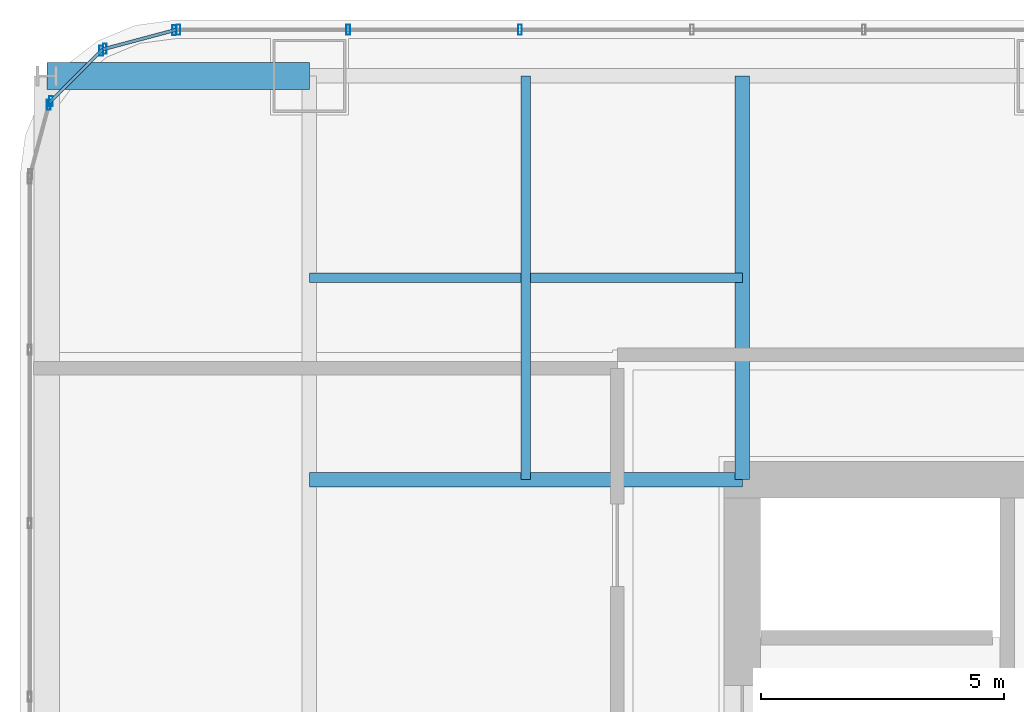
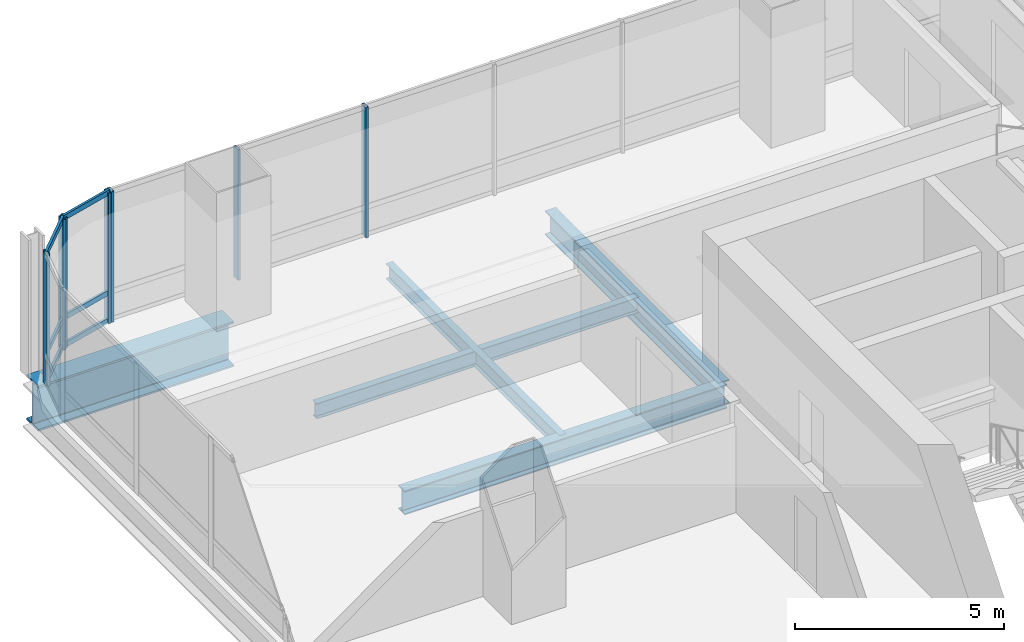
# One storey, part 19 of 36: 14 members, 5 beams, 4 elements without a shape of their own.
"""IFC4 building model written with IfcOpenShell, lengths in metres."""

from ifc_helpers import new_model, si_unit, direction, frame, origin, origin_2d, place, context, subcontext, project, spatial, hollow_rectangle, i_section, extrude, material, material_profile, profile_set, type_object, element, aggregate, save


model = new_model("IFC4")

# Units and contexts
model_context = context("Model", 3, precision=1e-05, world=origin(), true_north=direction((0.0, 1.0)))
body_context = subcontext(model_context, "Body", "Model", "MODEL_VIEW")
ifc_project = project(units=[si_unit("LENGTHUNIT", "METRE"), si_unit("AREAUNIT", "SQUARE_METRE"), si_unit("VOLUMEUNIT", "CUBIC_METRE"), si_unit("PLANEANGLEUNIT", "RADIAN"), si_unit("MASSUNIT", "GRAM", prefix="KILO")], contexts=[model_context])

# Site, building, storey
site_placement = place(None, origin())
site = spatial("IfcSite", under=ifc_project, at=site_placement, CompositionType="ELEMENT")
building_placement = place(site_placement, origin())
building = spatial("IfcBuilding", under=site, at=building_placement, Name="Punatoya Terracotta Tower", CompositionType="ELEMENT")
storey_placement = place(building_placement, frame((0.0, 0.0, 48.449951171875)))
storey = spatial("IfcBuildingStorey", under=building, at=storey_placement, Name="L10", CompositionType="ELEMENT", Elevation=48.449951171875)

# Beams
ifc_material_1 = material(Name="Steel S355", Category="steel")
ifc_material_profile_1 = material_profile(ifc_material_1, i_section(OverallWidth=0.300048828125, OverallDepth=0.699951171875, WebThickness=0.01708984375, FlangeThickness=0.031982421875, FilletRadius=0.01806640625, at=origin_2d()))
ifc_profile_set_1 = profile_set([ifc_material_profile_1], Name="Steel S355")
beam_type_1 = type_object("IfcBeamType", Name="BM-PRI-700", PredefinedType="BEAM", material=ifc_profile_set_1)
beam_1_placement = place(storey_placement, frame((-19.10009765625, 9.199951171875, -0.58984375), z_axis=(1.0, 0.0, 0.0), x_axis=(0.0, 1.0, 0.0)))
element("IfcBeam", 1, at=beam_1_placement, inside=storey, type_object=beam_type_1, Name="BM-L10-PR-WN", PredefinedType="BEAM", context=body_context, shape_type="SweptSolid", body=[
    extrude(i_section(OverallWidth=0.300048828125, OverallDepth=0.699951171875, WebThickness=0.01708984375, FlangeThickness=0.031982421875, FilletRadius=0.01806640625, at=origin_2d()), origin(), (0.0, 0.0, 1.0), 8.900146484375),
])
beam_2_placement = place(storey_placement, frame((-10.199951171875, 9.199951171875, -0.58984375), z_axis=(0.0, 1.0, 0.0), x_axis=(-1.0, 0.0, 0.0)))
element("IfcBeam", 2, at=beam_2_placement, inside=storey, type_object=beam_type_1, Name="BM-L10-PR-N1", PredefinedType="BEAM", context=body_context, shape_type="SweptSolid", body=[
    extrude(i_section(OverallWidth=0.300048828125, OverallDepth=0.699951171875, WebThickness=0.01708984375, FlangeThickness=0.031982421875, FilletRadius=0.01806640625, at=origin_2d()), origin(), (0.0, 0.0, 1.0), 8.300048828125),
])
ifc_material_profile_2 = material_profile(ifc_material_1, i_section(OverallWidth=0.18994140625, OverallDepth=0.449951171875, WebThickness=0.009521484375, FlangeThickness=0.0146484375, FilletRadius=0.01806640625, at=origin_2d()))
ifc_profile_set_2 = profile_set([ifc_material_profile_2], Name="Steel S355")
beam_type_2 = type_object("IfcBeamType", Name="BM-SEC-450", PredefinedType="JOIST", material=ifc_profile_set_2)
beam_3_placement = place(storey_placement, frame((-19.10009765625, 13.35009765625, -0.46484375), z_axis=(1.0, 0.0, 0.0), x_axis=(0.0, 1.0, 0.0)))
element("IfcBeam", 3, at=beam_3_placement, inside=storey, type_object=beam_type_2, Name="BM-L10-SJN-1", PredefinedType="JOIST", context=body_context, shape_type="SweptSolid", body=[
    extrude(i_section(OverallWidth=0.18994140625, OverallDepth=0.449951171875, WebThickness=0.009521484375, FlangeThickness=0.0146484375, FilletRadius=0.01806640625, at=origin_2d()), origin(), (0.0, 0.0, 1.0), 8.900146484375),
])
beam_4_placement = place(storey_placement, frame((-14.64990234375, 9.199951171875, -0.46484375), z_axis=(0.0, 1.0, 0.0), x_axis=(-1.0, 0.0, 0.0)))
element("IfcBeam", 4, at=beam_4_placement, inside=storey, type_object=beam_type_2, Name="BM-L10-SJW-2", PredefinedType="JOIST", context=body_context, shape_type="SweptSolid", body=[
    extrude(i_section(OverallWidth=0.18994140625, OverallDepth=0.449951171875, WebThickness=0.009521484375, FlangeThickness=0.0146484375, FilletRadius=0.01806640625, at=origin_2d()), origin(), (0.0, 0.0, 1.0), 8.300048828125),
])
ifc_material_2 = material(Name="Steel S460", Category="steel")
ifc_material_profile_3 = material_profile(ifc_material_2, i_section(OverallWidth=0.56005859375, OverallDepth=1.320068359375, WebThickness=0.035888671875, FlangeThickness=0.054931640625, FilletRadius=0.01806640625, at=origin_2d()))
ifc_profile_set_3 = profile_set([ifc_material_profile_3], Name="Steel S460")
beam_type_3 = type_object("IfcBeamType", Name="BM-TG-BLK", PredefinedType="BEAM", material=ifc_profile_set_3)
beam_5_placement = place(storey_placement, frame((-24.5, 17.5, -0.89990234375), z_axis=(1.0, 0.0, 0.0), x_axis=(0.0, 1.0, 0.0)))
element("IfcBeam", 5, at=beam_5_placement, inside=storey, type_object=beam_type_3, Name="BM-L10-CANT-W4", PredefinedType="BEAM", context=body_context, shape_type="SweptSolid", body=[
    extrude(i_section(OverallWidth=0.56005859375, OverallDepth=1.320068359375, WebThickness=0.035888671875, FlangeThickness=0.054931640625, FilletRadius=0.01806640625, at=origin_2d()), origin(), (0.0, 0.0, 1.0), 5.39990234375),
])

# Curtain wall, members
ifc_material_3 = material(Name="Aluminium 6063-T6 + Double Low-E Glass", Category="aluminium")
curtain_wall_type = type_object("IfcCurtainWallType", Name="CW-M1", PredefinedType="NOTDEFINED", material=ifc_material_3)
curtain_wall_1_placement = place(storey_placement, origin())
curtain_wall_1 = element("IfcCurtainWall", 6, at=curtain_wall_1_placement, inside=storey, type_object=curtain_wall_type, Name="L10 Curtain Wall CW-L10-N09-1", PredefinedType="NOTDEFINED")
ifc_material_4 = material(Name="Aluminium 6063-T6", Category="aluminium")
ifc_material_profile_4 = material_profile(ifc_material_4, hollow_rectangle(XDim=0.074951171875, YDim=0.2099609375, WallThickness=0.00439453125, at=origin_2d()))
ifc_profile_set_4 = profile_set([ifc_material_profile_4], Name="Aluminium 6063-T6")
member_type_1 = type_object("IfcMemberType", Name="CW-MUL-M1", PredefinedType="MULLION", material=ifc_profile_set_4)
member_1_placement = place(storey_placement, frame((-14.768798828125, 18.449951171875, 0.0), z_axis=(0.0, 0.0, 1.0), x_axis=(1.0, 0.0, 0.0)))
member_1 = element("IfcMember", 7, at=member_1_placement, type_object=member_type_1, Name="CW-L10-N09-1 Mullion 09", PredefinedType="MULLION", context=body_context, shape_type="SweptSolid", body=[
    extrude(hollow_rectangle(XDim=0.074951171875, YDim=0.2099609375, WallThickness=0.00439453125, at=origin_2d()), origin(), (0.0, 0.0, 1.0), 3.81005859375),
])
member_2_placement = place(storey_placement, frame((-18.302978515625, 18.449951171875, 0.0), z_axis=(0.0, 0.0, 1.0), x_axis=(1.0, 0.0, 0.0)))
member_2 = element("IfcMember", 8, at=member_2_placement, type_object=member_type_1, Name="CW-L10-N09-1 Mullion 10", PredefinedType="MULLION", context=body_context, shape_type="SweptSolid", body=[
    extrude(hollow_rectangle(XDim=0.074951171875, YDim=0.2099609375, WallThickness=0.00439453125, at=origin_2d()), origin(), (0.0, 0.0, 1.0), 3.81005859375),
])
member_3_placement = place(storey_placement, frame((-21.7919921875, 18.449951171875, 0.0), z_axis=(0.0, 0.0, 1.0), x_axis=(1.0, 0.0, 0.0)))
member_3 = element("IfcMember", 9, at=member_3_placement, type_object=member_type_1, Name="CW-L10-N09-1 Mullion 11", PredefinedType="MULLION", context=body_context, shape_type="SweptSolid", body=[
    extrude(hollow_rectangle(XDim=0.074951171875, YDim=0.2099609375, WallThickness=0.00439453125, at=origin_2d()), origin(), (0.0, 0.0, 1.0), 3.81005859375),
])
aggregate(curtain_wall_1, [member_1, member_2, member_3])

curtain_wall_2_placement = place(storey_placement, origin())
curtain_wall_2 = element("IfcCurtainWall", 10, at=curtain_wall_2_placement, inside=storey, type_object=curtain_wall_type, Name="L10 Curtain Wall CW-L10-CRN10", PredefinedType="NOTDEFINED")
member_4_placement = place(storey_placement, frame((-21.88037109375, 18.4384765625, 0.0), z_axis=(0.0, 0.0, 1.0), x_axis=(1.0, 0.0, 0.0)))
member_4 = element("IfcMember", 11, at=member_4_placement, type_object=member_type_1, Name="CW-L10-CRN10 Mullion 00", PredefinedType="MULLION", context=body_context, shape_type="SweptSolid", body=[
    extrude(hollow_rectangle(XDim=0.074951171875, YDim=0.2099609375, WallThickness=0.00439453125, at=origin_2d()), origin(), (0.0, 0.0, 1.0), 3.81005859375),
])
member_5_placement = place(storey_placement, frame((-23.3056640625, 18.05810546875, 0.0), z_axis=(0.0, 0.0, 1.0), x_axis=(1.0, 0.0, 0.0)))
member_5 = element("IfcMember", 12, at=member_5_placement, type_object=member_type_1, Name="CW-L10-CRN10 Mullion 01", PredefinedType="MULLION", context=body_context, shape_type="SweptSolid", body=[
    extrude(hollow_rectangle(XDim=0.074951171875, YDim=0.2099609375, WallThickness=0.00439453125, at=origin_2d()), origin(), (0.0, 0.0, 1.0), 3.81005859375),
])

curtain_wall_3_placement = place(storey_placement, origin())
curtain_wall_3 = element("IfcCurtainWall", 13, at=curtain_wall_3_placement, inside=storey, type_object=curtain_wall_type, Name="L10 Curtain Wall CW-L10-CRN11", PredefinedType="NOTDEFINED")
member_6_placement = place(storey_placement, frame((-23.380859375, 18.014892578125, 0.0), z_axis=(0.0, 0.0, 1.0), x_axis=(1.0, 0.0, 0.0)))
member_6 = element("IfcMember", 14, at=member_6_placement, type_object=member_type_1, Name="CW-L10-CRN11 Mullion 00", PredefinedType="MULLION", context=body_context, shape_type="SweptSolid", body=[
    extrude(hollow_rectangle(XDim=0.074951171875, YDim=0.2099609375, WallThickness=0.00439453125, at=origin_2d()), origin(), (0.0, 0.0, 1.0), 3.81005859375),
])
member_7_placement = place(storey_placement, frame((-24.414794921875, 16.98095703125, 0.0), z_axis=(0.0, 0.0, 1.0), x_axis=(1.0, 0.0, 0.0)))
member_7 = element("IfcMember", 15, at=member_7_placement, type_object=member_type_1, Name="CW-L10-CRN11 Mullion 01", PredefinedType="MULLION", context=body_context, shape_type="SweptSolid", body=[
    extrude(hollow_rectangle(XDim=0.074951171875, YDim=0.2099609375, WallThickness=0.00439453125, at=origin_2d()), origin(), (0.0, 0.0, 1.0), 3.81005859375),
])

# Curtain wall, member
curtain_wall_4_placement = place(storey_placement, origin())
curtain_wall_4 = element("IfcCurtainWall", 16, at=curtain_wall_4_placement, inside=storey, type_object=curtain_wall_type, Name="L10 Curtain Wall CW-L10-CRN12", PredefinedType="NOTDEFINED")
member_8_placement = place(storey_placement, frame((-24.458251953125, 16.905517578125, 0.0), z_axis=(0.0, 0.0, 1.0), x_axis=(1.0, 0.0, 0.0)))
member_8 = element("IfcMember", 17, at=member_8_placement, type_object=member_type_1, Name="CW-L10-CRN12 Mullion 00", PredefinedType="MULLION", context=body_context, shape_type="SweptSolid", body=[
    extrude(hollow_rectangle(XDim=0.074951171875, YDim=0.2099609375, WallThickness=0.00439453125, at=origin_2d()), origin(), (0.0, 0.0, 1.0), 3.81005859375),
])
aggregate(curtain_wall_4, [member_8])

# Member
ifc_material_profile_5 = material_profile(ifc_material_4, hollow_rectangle(XDim=0.068115234375, YDim=0.14990234375, WallThickness=0.00390625, at=origin_2d()))
ifc_profile_set_5 = profile_set([ifc_material_profile_5], Name="Aluminium 6063-T6")
member_type_2 = type_object("IfcMemberType", Name="CW-TRN-TYP", PredefinedType="USERDEFINED", material=ifc_profile_set_5)
member_9_placement = place(storey_placement, frame((-21.8369140625, 18.449951171875, 0.0400390625), z_axis=(-0.966224582397, -0.257701486942, 0.0), x_axis=(0.257701486942, -0.966224582397, 0.0)))
member_9 = element("IfcMember", 18, at=member_9_placement, type_object=member_type_2, Name="CW-L10-CRN10 Transom 1", ObjectType="TRANSOM", PredefinedType="USERDEFINED", context=body_context, shape_type="SweptSolid", body=[
    extrude(hollow_rectangle(XDim=0.068115234375, YDim=0.14990234375, WallThickness=0.00390625, at=origin_2d()), origin(), (0.0, 0.0, 1.0), 1.565185546875),
])

member_10_placement = place(storey_placement, frame((-21.8369140625, 18.449951171875, 0.85009765625), z_axis=(-0.966224582397, -0.257701486942, 0.0), x_axis=(0.257701486942, -0.966224582397, 0.0)))
member_10 = element("IfcMember", 19, at=member_10_placement, type_object=member_type_2, Name="CW-L10-CRN10 Transom 2", ObjectType="TRANSOM", PredefinedType="USERDEFINED", context=body_context, shape_type="SweptSolid", body=[
    extrude(hollow_rectangle(XDim=0.068115234375, YDim=0.14990234375, WallThickness=0.00390625, at=origin_2d()), origin(), (0.0, 0.0, 1.0), 1.565185546875),
])

member_11_placement = place(storey_placement, frame((-21.8369140625, 18.449951171875, 3.77001953125), z_axis=(-0.966224582397, -0.257701486942, 0.0), x_axis=(0.257701486942, -0.966224582397, 0.0)))
member_11 = element("IfcMember", 20, at=member_11_placement, type_object=member_type_2, Name="CW-L10-CRN10 Transom 3", ObjectType="TRANSOM", PredefinedType="USERDEFINED", context=body_context, shape_type="SweptSolid", body=[
    extrude(hollow_rectangle(XDim=0.068115234375, YDim=0.14990234375, WallThickness=0.00390625, at=origin_2d()), origin(), (0.0, 0.0, 1.0), 1.565185546875),
])

aggregate(curtain_wall_2, [member_4, member_5, member_9, member_10, member_11])

member_12_placement = place(storey_placement, frame((-23.34912109375, 18.046630859375, 0.0400390625), z_axis=(-0.707106781187, -0.707106781187, 0.0), x_axis=(0.707106781187, -0.707106781187, 0.0)))
member_12 = element("IfcMember", 21, at=member_12_placement, type_object=member_type_2, Name="CW-L10-CRN11 Transom 1", ObjectType="TRANSOM", PredefinedType="USERDEFINED", context=body_context, shape_type="SweptSolid", body=[
    extrude(hollow_rectangle(XDim=0.068115234375, YDim=0.14990234375, WallThickness=0.00390625, at=origin_2d()), origin(), (0.0, 0.0, 1.0), 1.552001953125),
])

member_13_placement = place(storey_placement, frame((-23.34912109375, 18.046630859375, 0.85009765625), z_axis=(-0.707106781187, -0.707106781187, 0.0), x_axis=(0.707106781187, -0.707106781187, 0.0)))
member_13 = element("IfcMember", 22, at=member_13_placement, type_object=member_type_2, Name="CW-L10-CRN11 Transom 2", ObjectType="TRANSOM", PredefinedType="USERDEFINED", context=body_context, shape_type="SweptSolid", body=[
    extrude(hollow_rectangle(XDim=0.068115234375, YDim=0.14990234375, WallThickness=0.00390625, at=origin_2d()), origin(), (0.0, 0.0, 1.0), 1.552001953125),
])

member_14_placement = place(storey_placement, frame((-23.34912109375, 18.046630859375, 3.77001953125), z_axis=(-0.707106781187, -0.707106781187, 0.0), x_axis=(0.707106781187, -0.707106781187, 0.0)))
member_14 = element("IfcMember", 23, at=member_14_placement, type_object=member_type_2, Name="CW-L10-CRN11 Transom 3", ObjectType="TRANSOM", PredefinedType="USERDEFINED", context=body_context, shape_type="SweptSolid", body=[
    extrude(hollow_rectangle(XDim=0.068115234375, YDim=0.14990234375, WallThickness=0.00390625, at=origin_2d()), origin(), (0.0, 0.0, 1.0), 1.552001953125),
])

aggregate(curtain_wall_3, [member_6, member_7, member_12, member_13, member_14])

save(model, "model.ifc")
